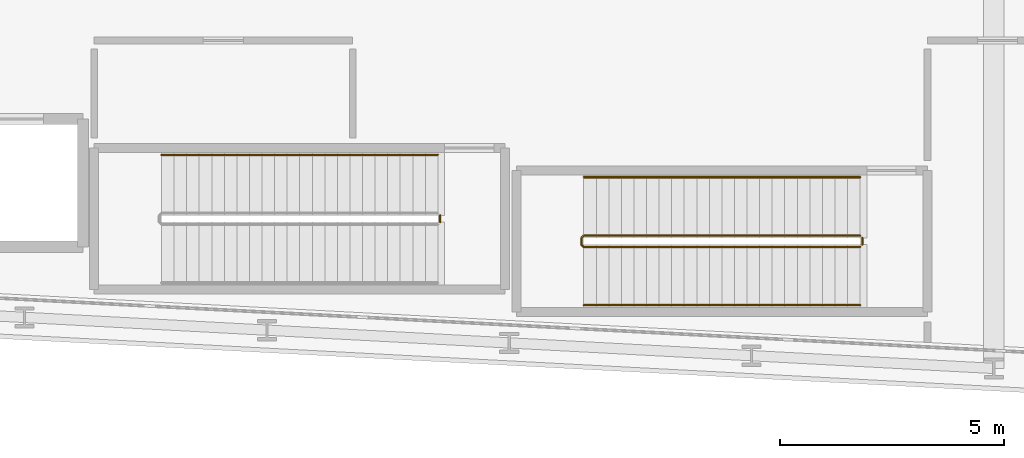
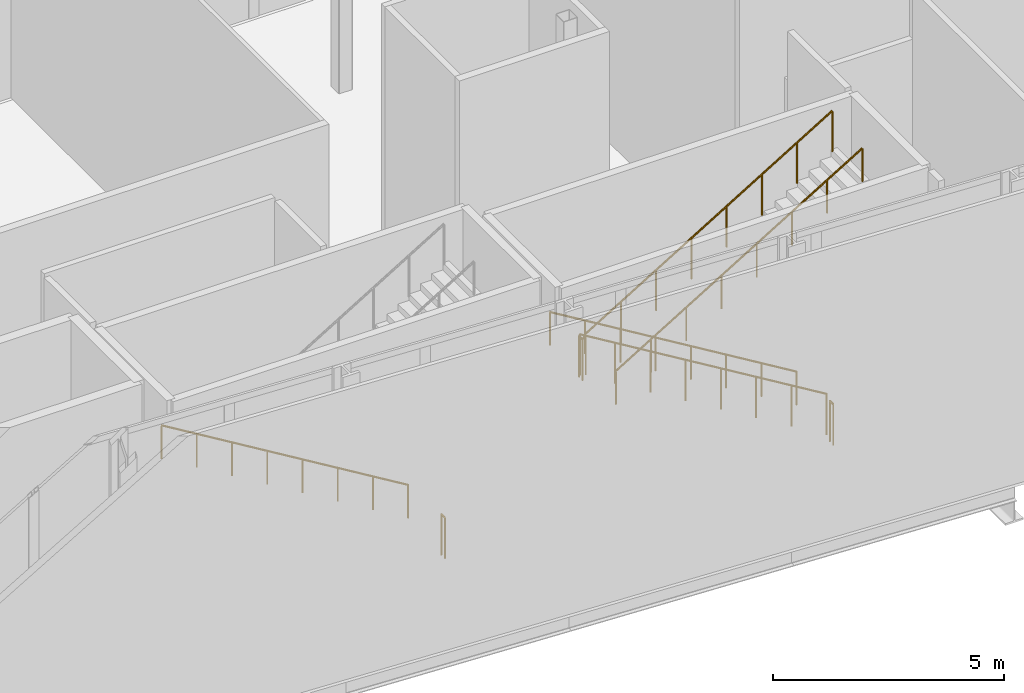
# One storey, part 33 of 36: 6 railings.
"""IFC4 building model written with IfcOpenShell, lengths in metres."""

from ifc_helpers import new_model, si_unit, direction, frame, origin, origin_2d, place, context, subcontext, project, spatial, circle, extrude, material, type_object, element, save


model = new_model("IFC4")

# Units and contexts
model_context = context("Model", 3, precision=1e-05, world=origin(), true_north=direction((0.0, 1.0)))
body_context = subcontext(model_context, "Body", "Model", "MODEL_VIEW")
ifc_project = project(units=[si_unit("LENGTHUNIT", "METRE"), si_unit("AREAUNIT", "SQUARE_METRE"), si_unit("VOLUMEUNIT", "CUBIC_METRE"), si_unit("PLANEANGLEUNIT", "RADIAN"), si_unit("MASSUNIT", "GRAM", prefix="KILO")], contexts=[model_context])

# Site, building, storey
site_placement = place(None, origin())
site = spatial("IfcSite", under=ifc_project, at=site_placement, CompositionType="ELEMENT")
building_placement = place(site_placement, origin())
building = spatial("IfcBuilding", under=site, at=building_placement, Name="Kheshtan School and Residences Tower", CompositionType="ELEMENT")
storey_placement = place(building_placement, frame((0.0, 0.0, 81.199951171875)))
storey = spatial("IfcBuildingStorey", under=building, at=storey_placement, Name="L19", CompositionType="ELEMENT", Elevation=81.199951171875)

# Railings
ifc_material_1 = material(Name="Stainless steel balustrade", Category="steel")
railing_type_1 = type_object("IfcRailingType", Name="Stair guard 1100", PredefinedType="GUARDRAIL", material=ifc_material_1)
railing_1_placement = place(storey_placement, frame((87.820068359375, 23.949951171875, 0.169677734375)))
element("IfcRailing", 1, at=railing_1_placement, inside=storey, type_object=railing_type_1, Name="L19 ST4 stair guard 1", PredefinedType="GUARDRAIL", context=body_context, shape_type="SweptSolid", body=[
    extrude(circle(Radius=0.02392578125, at=origin_2d()), frame((0.0, 0.0, 1.076171875), z_axis=(-0.855379917629, 0.0, 0.518001154937), x_axis=(0.0, -1.0, 0.0)), (0.0, 0.0, 1.0), 7.20166015625),
    extrude(circle(Radius=0.02392578125, at=origin_2d()), frame((-6.16015625, 0.0, 4.806640625), z_axis=(-0.705375805398, -0.708833529934, 0.0), x_axis=(0.708833529934, -0.705375805398, 0.0)), (0.0, 0.0, 1.0), 0.070556640625),
    extrude(circle(Radius=0.02392578125, at=origin_2d()), frame((-6.2099609375, -0.050048828125, 4.806640625), z_axis=(0.0, -1.0, 0.0), x_axis=(1.0, 0.0, 0.0)), (0.0, 0.0, 1.0), 0.14990234375),
    extrude(circle(Radius=0.02392578125, at=origin_2d()), frame((-6.2099609375, -0.199951171875, 4.806640625), z_axis=(0.27133105896, -0.272661113171, 0.923057622149), x_axis=(0.708833529934, 0.705375805398, 0.0)), (0.0, 0.0, 1.0), 0.18359375),
    extrude(circle(Radius=0.02392578125, at=origin_2d()), frame((-6.16015625, -0.25, 4.97607421875), z_axis=(0.855379917629, 0.0, 0.518001154937), x_axis=(0.0, 1.0, 0.0)), (0.0, 0.0, 1.0), 7.20166015625),
    extrude(circle(Radius=0.02099609375, at=origin_2d()), origin(), (0.0, 0.0, 1.0), 1.052001953125),
    extrude(circle(Radius=0.02099609375, at=origin_2d()), frame((-0.880126953125, 0.0, 0.532958984375)), (0.0, 0.0, 1.0), 1.052001953125),
    extrude(circle(Radius=0.02099609375, at=origin_2d()), frame((-1.760009765625, 0.0, 1.06591796875)), (0.0, 0.0, 1.0), 1.052001953125),
    extrude(circle(Radius=0.02099609375, at=origin_2d()), frame((-2.64013671875, 0.0, 1.598876953125)), (0.0, 0.0, 1.0), 1.052001953125),
    extrude(circle(Radius=0.02099609375, at=origin_2d()), frame((-3.52001953125, 0.0, 2.131591796875)), (0.0, 0.0, 1.0), 1.052001953125),
    extrude(circle(Radius=0.02099609375, at=origin_2d()), frame((-4.400146484375, 0.0, 2.66455078125)), (0.0, 0.0, 1.0), 1.052001953125),
    extrude(circle(Radius=0.02099609375, at=origin_2d()), frame((-5.280029296875, 0.0, 3.197509765625)), (0.0, 0.0, 1.0), 1.052001953125),
    extrude(circle(Radius=0.02099609375, at=origin_2d()), frame((-6.16015625, 0.0, 3.73046875)), (0.0, 0.0, 1.0), 1.052001953125),
    extrude(circle(Radius=0.02099609375, at=origin_2d()), frame((-6.2099609375, -0.050048828125, 3.73046875)), (0.0, 0.0, 1.0), 1.052001953125),
    extrude(circle(Radius=0.02099609375, at=origin_2d()), frame((-6.2099609375, -0.199951171875, 3.73046875)), (0.0, 0.0, 1.0), 1.052001953125),
    extrude(circle(Radius=0.02099609375, at=origin_2d()), frame((-6.16015625, -0.25, 3.89990234375)), (0.0, 0.0, 1.0), 1.052001953125),
    extrude(circle(Radius=0.02099609375, at=origin_2d()), frame((-5.280029296875, -0.25, 4.432861328125)), (0.0, 0.0, 1.0), 1.052001953125),
    extrude(circle(Radius=0.02099609375, at=origin_2d()), frame((-4.400146484375, -0.25, 4.9658203125)), (0.0, 0.0, 1.0), 1.052001953125),
    extrude(circle(Radius=0.02099609375, at=origin_2d()), frame((-3.52001953125, -0.25, 5.498779296875)), (0.0, 0.0, 1.0), 1.052001953125),
    extrude(circle(Radius=0.02099609375, at=origin_2d()), frame((-2.64013671875, -0.25, 6.031494140625)), (0.0, 0.0, 1.0), 1.052001953125),
    extrude(circle(Radius=0.02099609375, at=origin_2d()), frame((-1.760009765625, -0.25, 6.564453125)), (0.0, 0.0, 1.0), 1.052001953125),
    extrude(circle(Radius=0.02099609375, at=origin_2d()), frame((-0.880126953125, -0.25, 7.097412109375)), (0.0, 0.0, 1.0), 1.052001953125),
    extrude(circle(Radius=0.02099609375, at=origin_2d()), frame((0.0, -0.25, 7.63037109375)), (0.0, 0.0, 1.0), 1.052001953125),
])
for number, where, name in (
    (2, (87.8701171875, 23.89990234375, 0.0), "L19 ST4 stair guard 2"),
    (3, (78.4599609375, 24.39990234375, 0.0), "L19 ST5 stair guard 2"),
):
    element("IfcRailing", number, at=place(storey_placement, frame(where)), inside=storey, type_object=railing_type_1, Name=name, PredefinedType="GUARDRAIL", context=body_context, shape_type="SweptSolid", body=[
        extrude(circle(Radius=0.02392578125, at=origin_2d()), frame((0.0, 0.0, 1.076171875), z_axis=(0.0, -1.0, 0.0), x_axis=(1.0, 0.0, 0.0)), (0.0, 0.0, 1.0), 0.14990234375),
        extrude(circle(Radius=0.02099609375, at=origin_2d()), origin(), (0.0, 0.0, 1.0), 1.052001953125),
        extrude(circle(Radius=0.02099609375, at=origin_2d()), frame((0.0, -0.14990234375, 0.0)), (0.0, 0.0, 1.0), 1.052001953125),
    ])
ifc_material_2 = material(Name="Stainless steel handrail", Category="steel")
railing_type_2 = type_object("IfcRailingType", Name="Stair handrail 900", PredefinedType="HANDRAIL", material=ifc_material_2)
railing_2_placement = place(storey_placement, frame((87.820068359375, 25.25, 0.169677734375)))
element("IfcRailing", 4, at=railing_2_placement, inside=storey, type_object=railing_type_2, Name="L19 ST4 stair handrail 1", PredefinedType="HANDRAIL", context=body_context, shape_type="SweptSolid", body=[
    extrude(circle(Radius=0.02392578125, at=origin_2d()), frame((0.0, 0.0, 0.8759765625), z_axis=(-0.855379917629, 0.0, 0.518001154937), x_axis=(0.0, -1.0, 0.0)), (0.0, 0.0, 1.0), 7.20166015625),
    extrude(circle(Radius=0.02099609375, at=origin_2d()), origin(), (0.0, 0.0, 1.0), 0.851806640625),
    extrude(circle(Radius=0.02099609375, at=origin_2d()), frame((-0.880126953125, 0.0, 0.532958984375)), (0.0, 0.0, 1.0), 0.851806640625),
    extrude(circle(Radius=0.02099609375, at=origin_2d()), frame((-1.760009765625, 0.0, 1.06591796875)), (0.0, 0.0, 1.0), 0.851806640625),
    extrude(circle(Radius=0.02099609375, at=origin_2d()), frame((-2.64013671875, 0.0, 1.598876953125)), (0.0, 0.0, 1.0), 0.851806640625),
    extrude(circle(Radius=0.02099609375, at=origin_2d()), frame((-3.52001953125, 0.0, 2.131591796875)), (0.0, 0.0, 1.0), 0.851806640625),
    extrude(circle(Radius=0.02099609375, at=origin_2d()), frame((-4.400146484375, 0.0, 2.66455078125)), (0.0, 0.0, 1.0), 0.851806640625),
    extrude(circle(Radius=0.02099609375, at=origin_2d()), frame((-5.280029296875, 0.0, 3.197509765625)), (0.0, 0.0, 1.0), 0.851806640625),
    extrude(circle(Radius=0.02099609375, at=origin_2d()), frame((-6.16015625, 0.0, 3.73046875)), (0.0, 0.0, 1.0), 0.851806640625),
])
railing_3_placement = place(storey_placement, frame((81.659912109375, 22.39990234375, 4.069580078125)))
element("IfcRailing", 5, at=railing_3_placement, inside=storey, type_object=railing_type_2, Name="L19 ST4 stair handrail 2", PredefinedType="HANDRAIL", context=body_context, shape_type="SweptSolid", body=[
    extrude(circle(Radius=0.02392578125, at=origin_2d()), frame((0.0, 0.0, 0.8759765625), z_axis=(0.855379917629, 0.0, 0.518001154937), x_axis=(0.0, 1.0, 0.0)), (0.0, 0.0, 1.0), 7.20166015625),
    extrude(circle(Radius=0.02099609375, at=origin_2d()), origin(), (0.0, 0.0, 1.0), 0.851806640625),
    extrude(circle(Radius=0.02099609375, at=origin_2d()), frame((0.880126953125, 0.0, 0.532958984375)), (0.0, 0.0, 1.0), 0.851806640625),
    extrude(circle(Radius=0.02099609375, at=origin_2d()), frame((1.760009765625, 0.0, 1.06591796875)), (0.0, 0.0, 1.0), 0.851806640625),
    extrude(circle(Radius=0.02099609375, at=origin_2d()), frame((2.64013671875, 0.0, 1.598876953125)), (0.0, 0.0, 1.0), 0.851806640625),
    extrude(circle(Radius=0.02099609375, at=origin_2d()), frame((3.52001953125, 0.0, 2.131591796875)), (0.0, 0.0, 1.0), 0.851806640625),
    extrude(circle(Radius=0.02099609375, at=origin_2d()), frame((4.400146484375, 0.0, 2.66455078125)), (0.0, 0.0, 1.0), 0.851806640625),
    extrude(circle(Radius=0.02099609375, at=origin_2d()), frame((5.280029296875, 0.0, 3.197509765625)), (0.0, 0.0, 1.0), 0.851806640625),
    extrude(circle(Radius=0.02099609375, at=origin_2d()), frame((6.16015625, 0.0, 3.73046875)), (0.0, 0.0, 1.0), 0.851806640625),
])
railing_4_placement = place(storey_placement, frame((78.409912109375, 25.75, 0.169677734375)))
element("IfcRailing", 6, at=railing_4_placement, inside=storey, type_object=railing_type_2, Name="L19 ST5 stair handrail 1", PredefinedType="HANDRAIL", context=body_context, shape_type="SweptSolid", body=[
    extrude(circle(Radius=0.02392578125, at=origin_2d()), frame((0.0, 0.0, 0.8759765625), z_axis=(-0.855370820849, 0.0, 0.518016176234), x_axis=(0.0, -1.0, 0.0)), (0.0, 0.0, 1.0), 7.201416015625),
    extrude(circle(Radius=0.02099609375, at=origin_2d()), origin(), (0.0, 0.0, 1.0), 0.851806640625),
    extrude(circle(Radius=0.02099609375, at=origin_2d()), frame((-0.8798828125, 0.0, 0.532958984375)), (0.0, 0.0, 1.0), 0.851806640625),
    extrude(circle(Radius=0.02099609375, at=origin_2d()), frame((-1.760009765625, 0.0, 1.06591796875)), (0.0, 0.0, 1.0), 0.851806640625),
    extrude(circle(Radius=0.02099609375, at=origin_2d()), frame((-2.639892578125, 0.0, 1.598876953125)), (0.0, 0.0, 1.0), 0.851806640625),
    extrude(circle(Radius=0.02099609375, at=origin_2d()), frame((-3.52001953125, 0.0, 2.131591796875)), (0.0, 0.0, 1.0), 0.851806640625),
    extrude(circle(Radius=0.02099609375, at=origin_2d()), frame((-4.39990234375, 0.0, 2.66455078125)), (0.0, 0.0, 1.0), 0.851806640625),
    extrude(circle(Radius=0.02099609375, at=origin_2d()), frame((-5.280029296875, 0.0, 3.197509765625)), (0.0, 0.0, 1.0), 0.851806640625),
    extrude(circle(Radius=0.02099609375, at=origin_2d()), frame((-6.159912109375, 0.0, 3.73046875)), (0.0, 0.0, 1.0), 0.851806640625),
])

save(model, "model.ifc")
